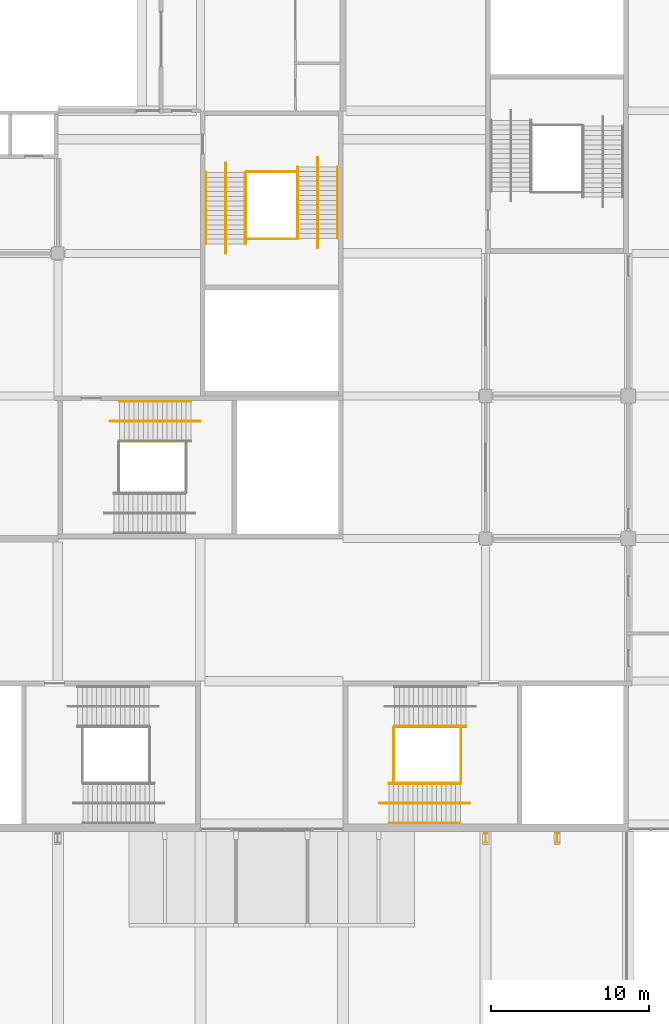
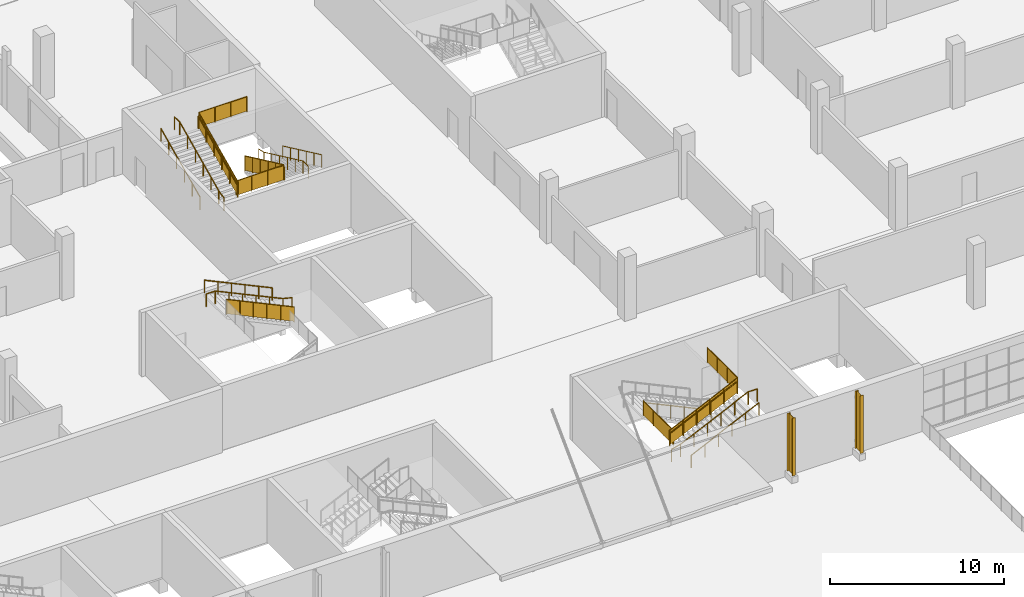
# One storey, part 152 of 168: 20 railings, 2 shading devices.
"""IFC4 building model written with IfcOpenShell, lengths in metres."""

from ifc_helpers import new_model, si_unit, direction, frame, origin, origin_2d, place, context, subcontext, project, spatial, polyline, circle, i_section, outline, extrude, material, material_profile, profile_set, type_object, element, save


model = new_model("IFC4")

# Units and contexts
model_context = context("Model", 3, precision=1e-05, world=origin(), true_north=direction((0.0, 1.0)))
body_context = subcontext(model_context, "Body", "Model", "MODEL_VIEW")
ifc_project = project(units=[si_unit("LENGTHUNIT", "METRE"), si_unit("AREAUNIT", "SQUARE_METRE"), si_unit("VOLUMEUNIT", "CUBIC_METRE"), si_unit("PLANEANGLEUNIT", "RADIAN"), si_unit("MASSUNIT", "GRAM", prefix="KILO")], contexts=[model_context])

# Site, building, storey
site_placement = place(None, origin())
site = spatial("IfcSite", under=ifc_project, at=site_placement, CompositionType="ELEMENT")
building_placement = place(site_placement, origin())
building = spatial("IfcBuilding", under=site, at=building_placement, Name="Silverbay Arena", CompositionType="ELEMENT")
storey_placement = place(building_placement, frame((0.0, 0.0, 7.0)))
storey = spatial("IfcBuildingStorey", under=building, at=storey_placement, Name="L01", CompositionType="ELEMENT", Elevation=7.0)

# Railings
ifc_material_1 = material(Name="Stainless steel", Category="steel")
railing_type_1 = type_object("IfcRailingType", Name="Stair guard 1100", PredefinedType="GUARDRAIL", material=ifc_material_1)
railing_1_placement = place(storey_placement, frame((191.89990234375, 20.574951171875, 2.390625)))
element("IfcRailing", 1, at=railing_1_placement, inside=storey, type_object=railing_type_1, Name="Stair ST-S6 L01 to L02 flight 2 guard left", PredefinedType="GUARDRAIL", context=body_context, shape_type="SweptSolid", body=[
    extrude(circle(Radius=0.02392578125, at=origin_2d()), frame((0.0, 0.0, 1.076171875), z_axis=(0.905458935959, 0.0, 0.424433876231), x_axis=(0.0, 1.0, 0.0)), (0.0, 0.0, 1.0), 4.969970703125),
    extrude(outline(polyline([(-0.008056640625, 0.046142578125), (0.907958984375, 0.4755859375), (0.907958984375, 1.478515625), (-0.008056640625, 1.04931640625), (-0.008056640625, 0.046142578125)])), frame((0.0, 0.0029296875, 0.0), z_axis=(0.0, -1.0, 0.0), x_axis=(1.0, 0.0, 0.0)), (0.0, 0.0, 1.0), 0.006103515625),
    extrude(outline(polyline([(-0.008056640625, 0.468017578125), (0.907958984375, 0.8974609375), (0.907958984375, 1.900390625), (-0.008056640625, 1.47119140625), (-0.008056640625, 0.468017578125)])), frame((0.89990234375, 0.0029296875, 0.0), z_axis=(0.0, -1.0, 0.0), x_axis=(1.0, 0.0, 0.0)), (0.0, 0.0, 1.0), 0.006103515625),
    extrude(outline(polyline([(-0.008056640625, 0.889892578125), (0.907958984375, 1.3193359375), (0.907958984375, 2.322265625), (-0.008056640625, 1.89306640625), (-0.008056640625, 0.889892578125)])), frame((1.800048828125, 0.0029296875, 0.0), z_axis=(0.0, -1.0, 0.0), x_axis=(1.0, 0.0, 0.0)), (0.0, 0.0, 1.0), 0.006103515625),
    extrude(outline(polyline([(-0.008056640625, 1.311767578125), (0.907958984375, 1.7412109375), (0.907958984375, 2.744140625), (-0.008056640625, 2.31494140625), (-0.008056640625, 1.311767578125)])), frame((2.699951171875, 0.0029296875, 0.0), z_axis=(0.0, -1.0, 0.0), x_axis=(1.0, 0.0, 0.0)), (0.0, 0.0, 1.0), 0.006103515625),
    extrude(outline(polyline([(-0.008056640625, 1.733642578125), (0.907958984375, 2.1630859375), (0.907958984375, 3.166015625), (-0.008056640625, 2.73681640625), (-0.008056640625, 1.733642578125)])), frame((3.60009765625, 0.0029296875, 0.0), z_axis=(0.0, -1.0, 0.0), x_axis=(1.0, 0.0, 0.0)), (0.0, 0.0, 1.0), 0.006103515625),
    extrude(circle(Radius=0.02099609375, at=origin_2d()), origin(), (0.0, 0.0, 1.0), 1.052001953125),
    extrude(circle(Radius=0.02099609375, at=origin_2d()), frame((0.89990234375, 0.0, 0.421875)), (0.0, 0.0, 1.0), 1.052001953125),
    extrude(circle(Radius=0.02099609375, at=origin_2d()), frame((1.800048828125, 0.0, 0.84375)), (0.0, 0.0, 1.0), 1.052001953125),
    extrude(circle(Radius=0.02099609375, at=origin_2d()), frame((2.699951171875, 0.0, 1.265625)), (0.0, 0.0, 1.0), 1.052001953125),
    extrude(circle(Radius=0.02099609375, at=origin_2d()), frame((3.60009765625, 0.0, 1.6875)), (0.0, 0.0, 1.0), 1.052001953125),
    extrude(circle(Radius=0.02099609375, at=origin_2d()), frame((4.5, 0.0, 2.109375)), (0.0, 0.0, 1.0), 1.052001953125),
])
for number, where, name in (
    (2, (192.203369140625, 24.10009765625, 2.25), "Stair ST-S6 L01 to L02 landing 1 guard"),
    (3, (196.449951171875, 24.10009765625, 4.5), "Stair ST-S6 L01 to L02 landing 2 guard"),
):
    element("IfcRailing", number, at=place(storey_placement, frame(where)), inside=storey, type_object=railing_type_1, Name=name, PredefinedType="GUARDRAIL", context=body_context, shape_type="SweptSolid", body=[
        extrude(circle(Radius=0.02392578125, at=origin_2d()), frame((0.0, 0.0, 1.076171875), z_axis=(0.0, -1.0, 0.0), x_axis=(1.0, 0.0, 0.0)), (0.0, 0.0, 1.0), 3.5),
        extrude(outline(polyline([(-0.008056640625, 0.050048828125), (1.174560546875, 0.050048828125), (1.174560546875, 1.052978515625), (-0.008056640625, 1.052978515625), (-0.008056640625, 0.050048828125)])), frame((0.0029296875, 0.0, 0.0), z_axis=(-1.0, 0.0, 0.0), x_axis=(0.0, -1.0, 0.0)), (0.0, 0.0, 1.0), 0.006103515625),
        extrude(outline(polyline([(-0.008056640625, 0.050048828125), (1.174560546875, 0.050048828125), (1.174560546875, 1.052978515625), (-0.008056640625, 1.052978515625), (-0.008056640625, 0.050048828125)])), frame((0.0029296875, -1.166748046875, 0.0), z_axis=(-1.0, 0.0, 0.0), x_axis=(0.0, -1.0, 0.0)), (0.0, 0.0, 1.0), 0.006103515625),
        extrude(outline(polyline([(-0.008056640625, 0.050048828125), (1.174560546875, 0.050048828125), (1.174560546875, 1.052978515625), (-0.008056640625, 1.052978515625), (-0.008056640625, 0.050048828125)])), frame((0.0029296875, -2.333251953125, 0.0), z_axis=(-1.0, 0.0, 0.0), x_axis=(0.0, -1.0, 0.0)), (0.0, 0.0, 1.0), 0.006103515625),
        extrude(circle(Radius=0.02099609375, at=origin_2d()), origin(), (0.0, 0.0, 1.0), 1.052001953125),
        extrude(circle(Radius=0.02099609375, at=origin_2d()), frame((0.0, -1.166748046875, 0.0)), (0.0, 0.0, 1.0), 1.052001953125),
        extrude(circle(Radius=0.02099609375, at=origin_2d()), frame((0.0, -2.333251953125, 0.0)), (0.0, 0.0, 1.0), 1.052001953125),
        extrude(circle(Radius=0.02099609375, at=origin_2d()), frame((0.0, -3.5, 0.0)), (0.0, 0.0, 1.0), 1.052001953125),
    ])
railing_2_placement = place(storey_placement, frame((179.39990234375, 42.125, 2.390625)))
element("IfcRailing", 4, at=railing_2_placement, inside=storey, type_object=railing_type_1, Name="Stair ST-SE1 L01 to L02 flight 2 guard right", PredefinedType="GUARDRAIL", context=body_context, shape_type="SweptSolid", body=[
    extrude(circle(Radius=0.02392578125, at=origin_2d()), frame((0.0, 0.0, 1.076171875), z_axis=(-0.905458935959, 0.0, 0.424433876231), x_axis=(0.0, -1.0, 0.0)), (0.0, 0.0, 1.0), 4.969970703125),
    extrude(outline(polyline([(-0.008056640625, 0.046142578125), (0.907958984375, 0.4755859375), (0.907958984375, 1.478515625), (-0.008056640625, 1.04931640625), (-0.008056640625, 0.046142578125)])), frame((0.0, -0.0029296875, 0.0), z_axis=(0.0, 1.0, 0.0), x_axis=(-1.0, 0.0, 0.0)), (0.0, 0.0, 1.0), 0.006103515625),
    extrude(outline(polyline([(-0.008056640625, 0.468017578125), (0.907958984375, 0.8974609375), (0.907958984375, 1.900390625), (-0.008056640625, 1.47119140625), (-0.008056640625, 0.468017578125)])), frame((-0.89990234375, -0.0029296875, 0.0), z_axis=(0.0, 1.0, 0.0), x_axis=(-1.0, 0.0, 0.0)), (0.0, 0.0, 1.0), 0.006103515625),
    extrude(outline(polyline([(-0.008056640625, 0.889892578125), (0.907958984375, 1.3193359375), (0.907958984375, 2.322265625), (-0.008056640625, 1.89306640625), (-0.008056640625, 0.889892578125)])), frame((-1.800048828125, -0.0029296875, 0.0), z_axis=(0.0, 1.0, 0.0), x_axis=(-1.0, 0.0, 0.0)), (0.0, 0.0, 1.0), 0.006103515625),
    extrude(outline(polyline([(-0.008056640625, 1.311767578125), (0.907958984375, 1.7412109375), (0.907958984375, 2.744140625), (-0.008056640625, 2.31494140625), (-0.008056640625, 1.311767578125)])), frame((-2.699951171875, -0.0029296875, 0.0), z_axis=(0.0, 1.0, 0.0), x_axis=(-1.0, 0.0, 0.0)), (0.0, 0.0, 1.0), 0.006103515625),
    extrude(outline(polyline([(-0.008056640625, 1.733642578125), (0.907958984375, 2.1630859375), (0.907958984375, 3.166015625), (-0.008056640625, 2.73681640625), (-0.008056640625, 1.733642578125)])), frame((-3.60009765625, -0.0029296875, 0.0), z_axis=(0.0, 1.0, 0.0), x_axis=(-1.0, 0.0, 0.0)), (0.0, 0.0, 1.0), 0.006103515625),
    extrude(circle(Radius=0.02099609375, at=origin_2d()), origin(), (0.0, 0.0, 1.0), 1.052001953125),
    extrude(circle(Radius=0.02099609375, at=origin_2d()), frame((-0.89990234375, 0.0, 0.421875)), (0.0, 0.0, 1.0), 1.052001953125),
    extrude(circle(Radius=0.02099609375, at=origin_2d()), frame((-1.800048828125, 0.0, 0.84375)), (0.0, 0.0, 1.0), 1.052001953125),
    extrude(circle(Radius=0.02099609375, at=origin_2d()), frame((-2.699951171875, 0.0, 1.265625)), (0.0, 0.0, 1.0), 1.052001953125),
    extrude(circle(Radius=0.02099609375, at=origin_2d()), frame((-3.60009765625, 0.0, 1.6875)), (0.0, 0.0, 1.0), 1.052001953125),
    extrude(circle(Radius=0.02099609375, at=origin_2d()), frame((-4.5, 0.0, 2.109375)), (0.0, 0.0, 1.0), 1.052001953125),
])
railing_3_placement = place(storey_placement, frame((186.125, 59.453369140625, 0.140625)))
element("IfcRailing", 5, at=railing_3_placement, inside=storey, type_object=railing_type_1, Name="Stair ST-SE2 L01 to L02 flight 1 guard left", PredefinedType="GUARDRAIL", context=body_context, shape_type="SweptSolid", body=[
    extrude(circle(Radius=0.02392578125, at=origin_2d()), frame((0.0, 0.0, 1.076171875), z_axis=(0.0, -0.905458935959, 0.424433876231), x_axis=(1.0, 0.0, 0.0)), (0.0, 0.0, 1.0), 4.969970703125),
    extrude(outline(polyline([(-0.008056640625, 0.046142578125), (0.907958984375, 0.4755859375), (0.907958984375, 1.478515625), (-0.008056640625, 1.04931640625), (-0.008056640625, 0.046142578125)])), frame((0.0029296875, 0.0, 0.0), z_axis=(-1.0, 0.0, 0.0), x_axis=(0.0, -1.0, 0.0)), (0.0, 0.0, 1.0), 0.006103515625),
    extrude(outline(polyline([(-0.008056640625, 0.468017578125), (0.907958984375, 0.8974609375), (0.907958984375, 1.900390625), (-0.008056640625, 1.47119140625), (-0.008056640625, 0.468017578125)])), frame((0.0029296875, -0.89990234375, 0.0), z_axis=(-1.0, 0.0, 0.0), x_axis=(0.0, -1.0, 0.0)), (0.0, 0.0, 1.0), 0.006103515625),
    extrude(outline(polyline([(-0.008056640625, 0.889892578125), (0.907958984375, 1.3193359375), (0.907958984375, 2.322265625), (-0.008056640625, 1.89306640625), (-0.008056640625, 0.889892578125)])), frame((0.0029296875, -1.800048828125, 0.0), z_axis=(-1.0, 0.0, 0.0), x_axis=(0.0, -1.0, 0.0)), (0.0, 0.0, 1.0), 0.006103515625),
    extrude(outline(polyline([(-0.008056640625, 1.311767578125), (0.907958984375, 1.7412109375), (0.907958984375, 2.744140625), (-0.008056640625, 2.31494140625), (-0.008056640625, 1.311767578125)])), frame((0.0029296875, -2.699951171875, 0.0), z_axis=(-1.0, 0.0, 0.0), x_axis=(0.0, -1.0, 0.0)), (0.0, 0.0, 1.0), 0.006103515625),
    extrude(outline(polyline([(-0.008056640625, 1.733642578125), (0.907958984375, 2.1630859375), (0.907958984375, 3.166015625), (-0.008056640625, 2.73681640625), (-0.008056640625, 1.733642578125)])), frame((0.0029296875, -3.60009765625, 0.0), z_axis=(-1.0, 0.0, 0.0), x_axis=(0.0, -1.0, 0.0)), (0.0, 0.0, 1.0), 0.006103515625),
    extrude(circle(Radius=0.02099609375, at=origin_2d()), origin(), (0.0, 0.0, 1.0), 1.052001953125),
    extrude(circle(Radius=0.02099609375, at=origin_2d()), frame((0.0, -0.89990234375, 0.421875)), (0.0, 0.0, 1.0), 1.052001953125),
    extrude(circle(Radius=0.02099609375, at=origin_2d()), frame((0.0, -1.800048828125, 0.84375)), (0.0, 0.0, 1.0), 1.052001953125),
    extrude(circle(Radius=0.02099609375, at=origin_2d()), frame((0.0, -2.699951171875, 1.265625)), (0.0, 0.0, 1.0), 1.052001953125),
    extrude(circle(Radius=0.02099609375, at=origin_2d()), frame((0.0, -3.60009765625, 1.6875)), (0.0, 0.0, 1.0), 1.052001953125),
    extrude(circle(Radius=0.02099609375, at=origin_2d()), frame((0.0, -4.5, 2.109375)), (0.0, 0.0, 1.0), 1.052001953125),
])
railing_4_placement = place(storey_placement, frame((182.875, 54.60009765625, 2.390625)))
element("IfcRailing", 6, at=railing_4_placement, inside=storey, type_object=railing_type_1, Name="Stair ST-SE2 L01 to L02 flight 2 guard right", PredefinedType="GUARDRAIL", context=body_context, shape_type="SweptSolid", body=[
    extrude(circle(Radius=0.02392578125, at=origin_2d()), frame((0.0, 0.0, 1.076171875), z_axis=(0.0, 0.905458935959, 0.424433876231), x_axis=(-1.0, 0.0, 0.0)), (0.0, 0.0, 1.0), 4.969970703125),
    extrude(outline(polyline([(-0.008056640625, 0.046142578125), (0.907958984375, 0.4755859375), (0.907958984375, 1.478515625), (-0.008056640625, 1.04931640625), (-0.008056640625, 0.046142578125)])), frame((-0.0029296875, 0.0, 0.0), z_axis=(1.0, 0.0, 0.0), x_axis=(0.0, 1.0, 0.0)), (0.0, 0.0, 1.0), 0.006103515625),
    extrude(outline(polyline([(-0.008056640625, 0.468017578125), (0.907958984375, 0.8974609375), (0.907958984375, 1.900390625), (-0.008056640625, 1.47119140625), (-0.008056640625, 0.468017578125)])), frame((-0.0029296875, 0.89990234375, 0.0), z_axis=(1.0, 0.0, 0.0), x_axis=(0.0, 1.0, 0.0)), (0.0, 0.0, 1.0), 0.006103515625),
    extrude(outline(polyline([(-0.008056640625, 0.889892578125), (0.907958984375, 1.3193359375), (0.907958984375, 2.322265625), (-0.008056640625, 1.89306640625), (-0.008056640625, 0.889892578125)])), frame((-0.0029296875, 1.800048828125, 0.0), z_axis=(1.0, 0.0, 0.0), x_axis=(0.0, 1.0, 0.0)), (0.0, 0.0, 1.0), 0.006103515625),
    extrude(outline(polyline([(-0.008056640625, 1.311767578125), (0.907958984375, 1.7412109375), (0.907958984375, 2.744140625), (-0.008056640625, 2.31494140625), (-0.008056640625, 1.311767578125)])), frame((-0.0029296875, 2.699951171875, 0.0), z_axis=(1.0, 0.0, 0.0), x_axis=(0.0, 1.0, 0.0)), (0.0, 0.0, 1.0), 0.006103515625),
    extrude(outline(polyline([(-0.008056640625, 1.733642578125), (0.907958984375, 2.1630859375), (0.907958984375, 3.166015625), (-0.008056640625, 2.73681640625), (-0.008056640625, 1.733642578125)])), frame((-0.0029296875, 3.60009765625, 0.0), z_axis=(1.0, 0.0, 0.0), x_axis=(0.0, 1.0, 0.0)), (0.0, 0.0, 1.0), 0.006103515625),
    extrude(circle(Radius=0.02099609375, at=origin_2d()), origin(), (0.0, 0.0, 1.0), 1.052001953125),
    extrude(circle(Radius=0.02099609375, at=origin_2d()), frame((0.0, 0.89990234375, 0.421875)), (0.0, 0.0, 1.0), 1.052001953125),
    extrude(circle(Radius=0.02099609375, at=origin_2d()), frame((0.0, 1.800048828125, 0.84375)), (0.0, 0.0, 1.0), 1.052001953125),
    extrude(circle(Radius=0.02099609375, at=origin_2d()), frame((0.0, 2.699951171875, 1.265625)), (0.0, 0.0, 1.0), 1.052001953125),
    extrude(circle(Radius=0.02099609375, at=origin_2d()), frame((0.0, 3.60009765625, 1.6875)), (0.0, 0.0, 1.0), 1.052001953125),
    extrude(circle(Radius=0.02099609375, at=origin_2d()), frame((0.0, 4.5, 2.109375)), (0.0, 0.0, 1.0), 1.052001953125),
])
for number, where, name in (
    (7, (182.89990234375, 54.9033203125, 2.25), "Stair ST-SE2 L01 to L02 landing 1 guard"),
    (8, (182.89990234375, 59.14990234375, 4.5), "Stair ST-SE2 L01 to L02 landing 2 guard"),
):
    element("IfcRailing", number, at=place(storey_placement, frame(where)), inside=storey, type_object=railing_type_1, Name=name, PredefinedType="GUARDRAIL", context=body_context, shape_type="SweptSolid", body=[
        extrude(circle(Radius=0.02392578125, at=origin_2d()), frame((0.0, 0.0, 1.076171875), z_axis=(1.0, 0.0, 0.0), x_axis=(0.0, 1.0, 0.0)), (0.0, 0.0, 1.0), 3.2001953125),
        extrude(outline(polyline([(-0.008056640625, 0.050048828125), (1.07470703125, 0.050048828125), (1.07470703125, 1.052978515625), (-0.008056640625, 1.052978515625), (-0.008056640625, 0.050048828125)])), frame((0.0, 0.0029296875, 0.0), z_axis=(0.0, -1.0, 0.0), x_axis=(1.0, 0.0, 0.0)), (0.0, 0.0, 1.0), 0.006103515625),
        extrude(outline(polyline([(-0.008056640625, 0.050048828125), (1.07470703125, 0.050048828125), (1.07470703125, 1.052978515625), (-0.008056640625, 1.052978515625), (-0.008056640625, 0.050048828125)])), frame((1.066650390625, 0.0029296875, 0.0), z_axis=(0.0, -1.0, 0.0), x_axis=(1.0, 0.0, 0.0)), (0.0, 0.0, 1.0), 0.006103515625),
        extrude(outline(polyline([(-0.008056640625, 0.050048828125), (1.07470703125, 0.050048828125), (1.07470703125, 1.052978515625), (-0.008056640625, 1.052978515625), (-0.008056640625, 0.050048828125)])), frame((2.133544921875, 0.0029296875, 0.0), z_axis=(0.0, -1.0, 0.0), x_axis=(1.0, 0.0, 0.0)), (0.0, 0.0, 1.0), 0.006103515625),
        extrude(circle(Radius=0.02099609375, at=origin_2d()), origin(), (0.0, 0.0, 1.0), 1.052001953125),
        extrude(circle(Radius=0.02099609375, at=origin_2d()), frame((1.066650390625, 0.0, 0.0)), (0.0, 0.0, 1.0), 1.052001953125),
        extrude(circle(Radius=0.02099609375, at=origin_2d()), frame((2.133544921875, 0.0, 0.0)), (0.0, 0.0, 1.0), 1.052001953125),
        extrude(circle(Radius=0.02099609375, at=origin_2d()), frame((3.2001953125, 0.0, 0.0)), (0.0, 0.0, 1.0), 1.052001953125),
    ])
ifc_material_2 = material(Name="Stainless steel", Category="steel")
railing_type_2 = type_object("IfcRailingType", Name="Stair handrail 900", PredefinedType="HANDRAIL", material=ifc_material_2)
railing_5_placement = place(storey_placement, frame((196.75341796875, 24.1640625, 0.140625)))
element("IfcRailing", 9, at=railing_5_placement, inside=storey, type_object=railing_type_2, Name="Stair ST-S6 L01 to L02 flight 1 handrail right", PredefinedType="HANDRAIL", context=body_context, shape_type="SweptSolid", body=[
    extrude(circle(Radius=0.02392578125, at=origin_2d()), frame((0.0, 0.0, 0.8759765625), z_axis=(-0.905458935959, 0.0, 0.424433876231), x_axis=(0.0, -1.0, 0.0)), (0.0, 0.0, 1.0), 4.969970703125),
    extrude(circle(Radius=0.02099609375, at=origin_2d()), origin(), (0.0, 0.0, 1.0), 0.851806640625),
    extrude(circle(Radius=0.02099609375, at=origin_2d()), frame((-0.89990234375, 0.0, 0.421875)), (0.0, 0.0, 1.0), 0.851806640625),
    extrude(circle(Radius=0.02099609375, at=origin_2d()), frame((-1.800048828125, 0.0, 0.84375)), (0.0, 0.0, 1.0), 0.851806640625),
    extrude(circle(Radius=0.02099609375, at=origin_2d()), frame((-2.699951171875, 0.0, 1.265625)), (0.0, 0.0, 1.0), 0.851806640625),
    extrude(circle(Radius=0.02099609375, at=origin_2d()), frame((-3.60009765625, 0.0, 1.6875)), (0.0, 0.0, 1.0), 0.851806640625),
    extrude(circle(Radius=0.02099609375, at=origin_2d()), frame((-4.5, 0.0, 2.109375)), (0.0, 0.0, 1.0), 0.851806640625),
])
for number, where, name in (
    (10, (191.89990234375, 20.535888671875, 2.390625), "Stair ST-S6 L01 to L02 flight 2 handrail left"),
    (11, (191.89990234375, 18.050048828125, 2.390625), "Stair ST-S6 L01 to L02 flight 2 handrail right"),
):
    element("IfcRailing", number, at=place(storey_placement, frame(where)), inside=storey, type_object=railing_type_2, Name=name, PredefinedType="HANDRAIL", context=body_context, shape_type="SweptSolid", body=[
        extrude(circle(Radius=0.02392578125, at=origin_2d()), frame((0.0, 0.0, 0.8759765625), z_axis=(0.905458935959, 0.0, 0.424433876231), x_axis=(0.0, 1.0, 0.0)), (0.0, 0.0, 1.0), 4.969970703125),
        extrude(circle(Radius=0.02099609375, at=origin_2d()), origin(), (0.0, 0.0, 1.0), 0.851806640625),
        extrude(circle(Radius=0.02099609375, at=origin_2d()), frame((0.89990234375, 0.0, 0.421875)), (0.0, 0.0, 1.0), 0.851806640625),
        extrude(circle(Radius=0.02099609375, at=origin_2d()), frame((1.800048828125, 0.0, 0.84375)), (0.0, 0.0, 1.0), 0.851806640625),
        extrude(circle(Radius=0.02099609375, at=origin_2d()), frame((2.699951171875, 0.0, 1.265625)), (0.0, 0.0, 1.0), 0.851806640625),
        extrude(circle(Radius=0.02099609375, at=origin_2d()), frame((3.60009765625, 0.0, 1.6875)), (0.0, 0.0, 1.0), 0.851806640625),
        extrude(circle(Radius=0.02099609375, at=origin_2d()), frame((4.5, 0.0, 2.109375)), (0.0, 0.0, 1.0), 0.851806640625),
    ])
railing_6_placement = place(storey_placement, frame((191.300048828125, 19.300048828125, 2.25)))
element("IfcRailing", 12, at=railing_6_placement, inside=storey, type_object=railing_type_2, Name="Stair ST-S6 L01 to L02 flight 2 central handrail", PredefinedType="HANDRAIL", context=body_context, shape_type="SweptSolid", body=[
    extrude(circle(Radius=0.02392578125, at=origin_2d()), frame((0.0, 0.0, 0.8759765625), z_axis=(0.973603928963, 0.0, 0.228244144519), x_axis=(0.0, 1.0, 0.0)), (0.0, 0.0, 1.0), 0.6162109375),
    extrude(circle(Radius=0.02392578125, at=origin_2d()), frame((0.599853515625, 0.0, 1.0166015625), z_axis=(0.905458935959, 0.0, 0.424433876231), x_axis=(0.0, 1.0, 0.0)), (0.0, 0.0, 1.0), 4.969970703125),
    extrude(circle(Radius=0.02392578125, at=origin_2d()), frame((5.099853515625, 0.0, 3.1259765625), z_axis=(1.0, 0.0, 0.0), x_axis=(0.0, 1.0, 0.0)), (0.0, 0.0, 1.0), 0.60009765625),
    extrude(circle(Radius=0.02099609375, at=origin_2d()), origin(), (0.0, 0.0, 1.0), 0.851806640625),
    extrude(circle(Radius=0.02099609375, at=origin_2d()), frame((0.599853515625, 0.0, 0.140625)), (0.0, 0.0, 1.0), 0.851806640625),
    extrude(circle(Radius=0.02099609375, at=origin_2d()), frame((1.499755859375, 0.0, 0.5625)), (0.0, 0.0, 1.0), 0.851806640625),
    extrude(circle(Radius=0.02099609375, at=origin_2d()), frame((2.39990234375, 0.0, 0.984375)), (0.0, 0.0, 1.0), 0.851806640625),
    extrude(circle(Radius=0.02099609375, at=origin_2d()), frame((3.2998046875, 0.0, 1.40625)), (0.0, 0.0, 1.0), 0.851806640625),
    extrude(circle(Radius=0.02099609375, at=origin_2d()), frame((4.199951171875, 0.0, 1.828125)), (0.0, 0.0, 1.0), 0.851806640625),
    extrude(circle(Radius=0.02099609375, at=origin_2d()), frame((5.099853515625, 0.0, 2.25)), (0.0, 0.0, 1.0), 0.851806640625),
    extrude(circle(Radius=0.02099609375, at=origin_2d()), frame((5.699951171875, 0.0, 2.25)), (0.0, 0.0, 1.0), 0.851806640625),
])
railing_7_placement = place(storey_placement, frame((179.39990234375, 44.64990234375, 2.390625)))
element("IfcRailing", 13, at=railing_7_placement, inside=storey, type_object=railing_type_2, Name="Stair ST-SE1 L01 to L02 flight 2 handrail left", PredefinedType="HANDRAIL", context=body_context, shape_type="SweptSolid", body=[
    extrude(circle(Radius=0.02392578125, at=origin_2d()), frame((0.0, 0.0, 0.8759765625), z_axis=(-0.905458935959, 0.0, 0.424433876231), x_axis=(0.0, -1.0, 0.0)), (0.0, 0.0, 1.0), 4.969970703125),
    extrude(circle(Radius=0.02099609375, at=origin_2d()), origin(), (0.0, 0.0, 1.0), 0.851806640625),
    extrude(circle(Radius=0.02099609375, at=origin_2d()), frame((-0.89990234375, 0.0, 0.421875)), (0.0, 0.0, 1.0), 0.851806640625),
    extrude(circle(Radius=0.02099609375, at=origin_2d()), frame((-1.800048828125, 0.0, 0.84375)), (0.0, 0.0, 1.0), 0.851806640625),
    extrude(circle(Radius=0.02099609375, at=origin_2d()), frame((-2.699951171875, 0.0, 1.265625)), (0.0, 0.0, 1.0), 0.851806640625),
    extrude(circle(Radius=0.02099609375, at=origin_2d()), frame((-3.60009765625, 0.0, 1.6875)), (0.0, 0.0, 1.0), 0.851806640625),
    extrude(circle(Radius=0.02099609375, at=origin_2d()), frame((-4.5, 0.0, 2.109375)), (0.0, 0.0, 1.0), 0.851806640625),
])
railing_8_placement = place(storey_placement, frame((180.0, 43.39990234375, 2.25)))
element("IfcRailing", 14, at=railing_8_placement, inside=storey, type_object=railing_type_2, Name="Stair ST-SE1 L01 to L02 flight 2 central handrail", PredefinedType="HANDRAIL", context=body_context, shape_type="SweptSolid", body=[
    extrude(circle(Radius=0.02392578125, at=origin_2d()), frame((0.0, 0.0, 0.8759765625), z_axis=(-0.973624560196, 0.0, 0.228156121511), x_axis=(0.0, -1.0, 0.0)), (0.0, 0.0, 1.0), 0.616455078125),
    extrude(circle(Radius=0.02392578125, at=origin_2d()), frame((-0.60009765625, 0.0, 1.0166015625), z_axis=(-0.905458935959, 0.0, 0.424433876231), x_axis=(0.0, -1.0, 0.0)), (0.0, 0.0, 1.0), 4.969970703125),
    extrude(circle(Radius=0.02392578125, at=origin_2d()), frame((-5.10009765625, 0.0, 3.1259765625), z_axis=(-1.0, 0.0, 0.0), x_axis=(0.0, -1.0, 0.0)), (0.0, 0.0, 1.0), 0.599853515625),
    extrude(circle(Radius=0.02099609375, at=origin_2d()), origin(), (0.0, 0.0, 1.0), 0.851806640625),
    extrude(circle(Radius=0.02099609375, at=origin_2d()), frame((-0.60009765625, 0.0, 0.140625)), (0.0, 0.0, 1.0), 0.851806640625),
    extrude(circle(Radius=0.02099609375, at=origin_2d()), frame((-1.5, 0.0, 0.5625)), (0.0, 0.0, 1.0), 0.851806640625),
    extrude(circle(Radius=0.02099609375, at=origin_2d()), frame((-2.400146484375, 0.0, 0.984375)), (0.0, 0.0, 1.0), 0.851806640625),
    extrude(circle(Radius=0.02099609375, at=origin_2d()), frame((-3.300048828125, 0.0, 1.40625)), (0.0, 0.0, 1.0), 0.851806640625),
    extrude(circle(Radius=0.02099609375, at=origin_2d()), frame((-4.2001953125, 0.0, 1.828125)), (0.0, 0.0, 1.0), 0.851806640625),
    extrude(circle(Radius=0.02099609375, at=origin_2d()), frame((-5.10009765625, 0.0, 2.25)), (0.0, 0.0, 1.0), 0.851806640625),
    extrude(circle(Radius=0.02099609375, at=origin_2d()), frame((-5.699951171875, 0.0, 2.25)), (0.0, 0.0, 1.0), 0.851806640625),
])
for number, where, name in (
    (15, (186.1640625, 59.453369140625, 0.140625), "Stair ST-SE2 L01 to L02 flight 1 handrail left"),
    (16, (188.64990234375, 59.453369140625, 0.140625), "Stair ST-SE2 L01 to L02 flight 1 handrail right"),
):
    element("IfcRailing", number, at=place(storey_placement, frame(where)), inside=storey, type_object=railing_type_2, Name=name, PredefinedType="HANDRAIL", context=body_context, shape_type="SweptSolid", body=[
        extrude(circle(Radius=0.02392578125, at=origin_2d()), frame((0.0, 0.0, 0.8759765625), z_axis=(0.0, -0.905458935959, 0.424433876231), x_axis=(1.0, 0.0, 0.0)), (0.0, 0.0, 1.0), 4.969970703125),
        extrude(circle(Radius=0.02099609375, at=origin_2d()), origin(), (0.0, 0.0, 1.0), 0.851806640625),
        extrude(circle(Radius=0.02099609375, at=origin_2d()), frame((0.0, -0.89990234375, 0.421875)), (0.0, 0.0, 1.0), 0.851806640625),
        extrude(circle(Radius=0.02099609375, at=origin_2d()), frame((0.0, -1.800048828125, 0.84375)), (0.0, 0.0, 1.0), 0.851806640625),
        extrude(circle(Radius=0.02099609375, at=origin_2d()), frame((0.0, -2.699951171875, 1.265625)), (0.0, 0.0, 1.0), 0.851806640625),
        extrude(circle(Radius=0.02099609375, at=origin_2d()), frame((0.0, -3.60009765625, 1.6875)), (0.0, 0.0, 1.0), 0.851806640625),
        extrude(circle(Radius=0.02099609375, at=origin_2d()), frame((0.0, -4.5, 2.109375)), (0.0, 0.0, 1.0), 0.851806640625),
    ])
railing_9_placement = place(storey_placement, frame((187.39990234375, 60.053466796875, 0.0)))
element("IfcRailing", 17, at=railing_9_placement, inside=storey, type_object=railing_type_2, Name="Stair ST-SE2 L01 to L02 flight 1 central handrail", PredefinedType="HANDRAIL", context=body_context, shape_type="SweptSolid", body=[
    extrude(circle(Radius=0.02392578125, at=origin_2d()), frame((0.0, 0.0, 0.8759765625), z_axis=(0.0, -0.973624560196, 0.228156121511), x_axis=(1.0, 0.0, 0.0)), (0.0, 0.0, 1.0), 0.616455078125),
    extrude(circle(Radius=0.02392578125, at=origin_2d()), frame((0.0, -0.60009765625, 1.0166015625), z_axis=(0.0, -0.905458935959, 0.424433876231), x_axis=(1.0, 0.0, 0.0)), (0.0, 0.0, 1.0), 4.969970703125),
    extrude(circle(Radius=0.02392578125, at=origin_2d()), frame((0.0, -5.10009765625, 3.1259765625), z_axis=(0.0, -1.0, 0.0), x_axis=(1.0, 0.0, 0.0)), (0.0, 0.0, 1.0), 0.599853515625),
    extrude(circle(Radius=0.02099609375, at=origin_2d()), origin(), (0.0, 0.0, 1.0), 0.851806640625),
    extrude(circle(Radius=0.02099609375, at=origin_2d()), frame((0.0, -0.60009765625, 0.140625)), (0.0, 0.0, 1.0), 0.851806640625),
    extrude(circle(Radius=0.02099609375, at=origin_2d()), frame((0.0, -1.5, 0.5625)), (0.0, 0.0, 1.0), 0.851806640625),
    extrude(circle(Radius=0.02099609375, at=origin_2d()), frame((0.0, -2.400146484375, 0.984375)), (0.0, 0.0, 1.0), 0.851806640625),
    extrude(circle(Radius=0.02099609375, at=origin_2d()), frame((0.0, -3.300048828125, 1.40625)), (0.0, 0.0, 1.0), 0.851806640625),
    extrude(circle(Radius=0.02099609375, at=origin_2d()), frame((0.0, -4.2001953125, 1.828125)), (0.0, 0.0, 1.0), 0.851806640625),
    extrude(circle(Radius=0.02099609375, at=origin_2d()), frame((0.0, -5.10009765625, 2.25)), (0.0, 0.0, 1.0), 0.851806640625),
    extrude(circle(Radius=0.02099609375, at=origin_2d()), frame((0.0, -5.699951171875, 2.25)), (0.0, 0.0, 1.0), 0.851806640625),
])
for number, where, name in (
    (18, (180.35009765625, 54.60009765625, 2.390625), "Stair ST-SE2 L01 to L02 flight 2 handrail left"),
    (19, (182.8359375, 54.60009765625, 2.390625), "Stair ST-SE2 L01 to L02 flight 2 handrail right"),
):
    element("IfcRailing", number, at=place(storey_placement, frame(where)), inside=storey, type_object=railing_type_2, Name=name, PredefinedType="HANDRAIL", context=body_context, shape_type="SweptSolid", body=[
        extrude(circle(Radius=0.02392578125, at=origin_2d()), frame((0.0, 0.0, 0.8759765625), z_axis=(0.0, 0.905458935959, 0.424433876231), x_axis=(-1.0, 0.0, 0.0)), (0.0, 0.0, 1.0), 4.969970703125),
        extrude(circle(Radius=0.02099609375, at=origin_2d()), origin(), (0.0, 0.0, 1.0), 0.851806640625),
        extrude(circle(Radius=0.02099609375, at=origin_2d()), frame((0.0, 0.89990234375, 0.421875)), (0.0, 0.0, 1.0), 0.851806640625),
        extrude(circle(Radius=0.02099609375, at=origin_2d()), frame((0.0, 1.800048828125, 0.84375)), (0.0, 0.0, 1.0), 0.851806640625),
        extrude(circle(Radius=0.02099609375, at=origin_2d()), frame((0.0, 2.699951171875, 1.265625)), (0.0, 0.0, 1.0), 0.851806640625),
        extrude(circle(Radius=0.02099609375, at=origin_2d()), frame((0.0, 3.60009765625, 1.6875)), (0.0, 0.0, 1.0), 0.851806640625),
        extrude(circle(Radius=0.02099609375, at=origin_2d()), frame((0.0, 4.5, 2.109375)), (0.0, 0.0, 1.0), 0.851806640625),
    ])
railing_10_placement = place(storey_placement, frame((181.60009765625, 54.0, 2.25)))
element("IfcRailing", 20, at=railing_10_placement, inside=storey, type_object=railing_type_2, Name="Stair ST-SE2 L01 to L02 flight 2 central handrail", PredefinedType="HANDRAIL", context=body_context, shape_type="SweptSolid", body=[
    extrude(circle(Radius=0.02392578125, at=origin_2d()), frame((0.0, 0.0, 0.8759765625), z_axis=(0.0, 0.973624560196, 0.228156121511), x_axis=(-1.0, 0.0, 0.0)), (0.0, 0.0, 1.0), 0.616455078125),
    extrude(circle(Radius=0.02392578125, at=origin_2d()), frame((0.0, 0.60009765625, 1.0166015625), z_axis=(0.0, 0.905458935959, 0.424433876231), x_axis=(-1.0, 0.0, 0.0)), (0.0, 0.0, 1.0), 4.969970703125),
    extrude(circle(Radius=0.02392578125, at=origin_2d()), frame((0.0, 5.10009765625, 3.1259765625), z_axis=(0.0, 1.0, 0.0), x_axis=(-1.0, 0.0, 0.0)), (0.0, 0.0, 1.0), 0.599853515625),
    extrude(circle(Radius=0.02099609375, at=origin_2d()), origin(), (0.0, 0.0, 1.0), 0.851806640625),
    extrude(circle(Radius=0.02099609375, at=origin_2d()), frame((0.0, 0.60009765625, 0.140625)), (0.0, 0.0, 1.0), 0.851806640625),
    extrude(circle(Radius=0.02099609375, at=origin_2d()), frame((0.0, 1.5, 0.5625)), (0.0, 0.0, 1.0), 0.851806640625),
    extrude(circle(Radius=0.02099609375, at=origin_2d()), frame((0.0, 2.400146484375, 0.984375)), (0.0, 0.0, 1.0), 0.851806640625),
    extrude(circle(Radius=0.02099609375, at=origin_2d()), frame((0.0, 3.300048828125, 1.40625)), (0.0, 0.0, 1.0), 0.851806640625),
    extrude(circle(Radius=0.02099609375, at=origin_2d()), frame((0.0, 4.2001953125, 1.828125)), (0.0, 0.0, 1.0), 0.851806640625),
    extrude(circle(Radius=0.02099609375, at=origin_2d()), frame((0.0, 5.10009765625, 2.25)), (0.0, 0.0, 1.0), 0.851806640625),
    extrude(circle(Radius=0.02099609375, at=origin_2d()), frame((0.0, 5.699951171875, 2.25)), (0.0, 0.0, 1.0), 0.851806640625),
])

# Shading devices
ifc_material_3 = material(Name="Steel S355", Category="steel")
ifc_material_profile = material_profile(ifc_material_3, i_section(OverallWidth=0.2275390625, OverallDepth=0.6025390625, WebThickness=0.010498046875, FlangeThickness=0.014892578125, at=origin_2d()), Name="UB 610x229x101")
ifc_profile_set = profile_set([ifc_material_profile], Name="Steel S355")
shading_device_type = type_object("IfcShadingDeviceType", Name="Steel fin UB 610x229x101", PredefinedType="USERDEFINED", material=ifc_profile_set)
for number, where, z_axis, x_axis, name in (
    (21, (198.0, 17.0986328125, 0.449951171875), (0.0, 0.0, 1.0), (1.0, 0.0, 0.0), "Steel fin S L01 32"),
    (22, (202.5, 17.0986328125, 0.449951171875), (0.0, 0.0, 1.0), (1.0, 0.0, 0.0), "Steel fin S L01 33"),
):
    element("IfcShadingDevice", number, at=place(storey_placement, frame(where, z_axis=z_axis, x_axis=x_axis)), inside=storey, type_object=shading_device_type, Name=name, ObjectType="FIN", PredefinedType="USERDEFINED", context=body_context, shape_type="SweptSolid", body=[
        extrude(i_section(OverallWidth=0.2275390625, OverallDepth=0.6025390625, WebThickness=0.010498046875, FlangeThickness=0.014892578125, at=origin_2d()), origin(), (0.0, 0.0, 1.0), 4.050048828125),
    ])

save(model, "model.ifc")
